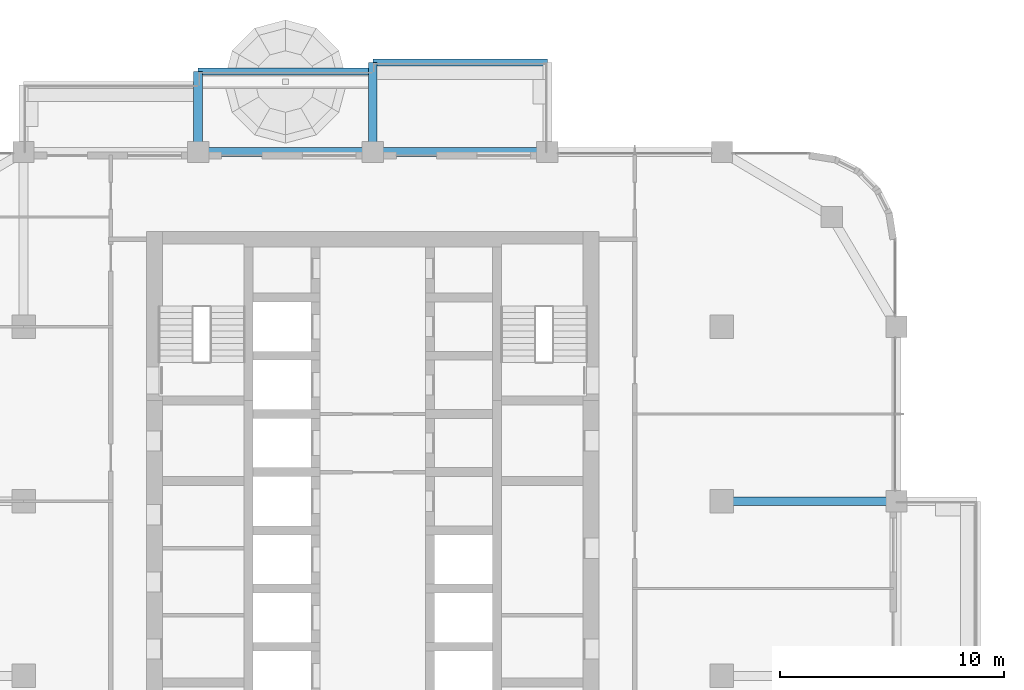
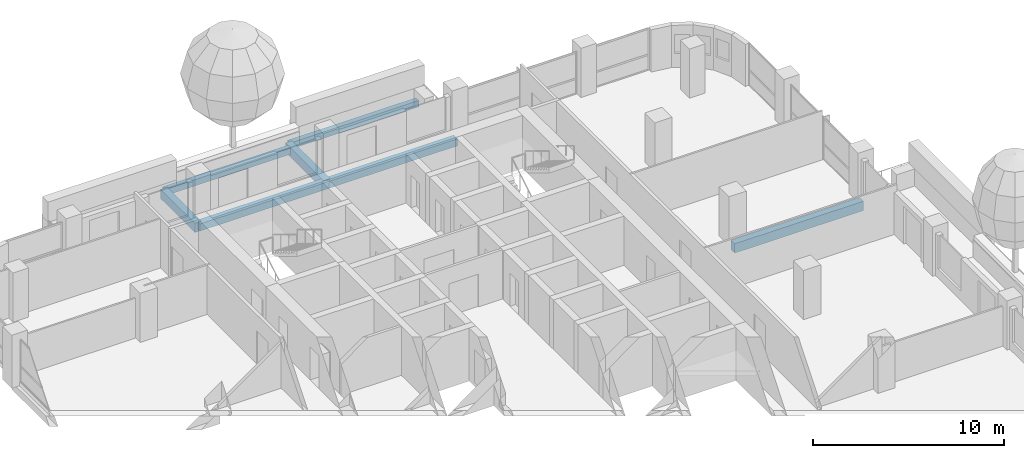
# One storey, part 7 of 21: 7 beams.
"""IFC4 building model written with IfcOpenShell, lengths in metres."""

import ifcopenshell
import ifcopenshell.guid

model = None  # the IFC model being written
_history = None  # IfcOwnerHistory: only IFC2X3 demands one
_inside = {}  # id of a spatial element -> (the spatial element, [elements in it])
_under = {}  # id of a project, library or spatial element -> (it, [spatial elements below it])
_declared = {}  # id of a project -> (the project, [libraries it declares])
_typed = {}  # id of a type object -> (the type object, [elements of that type])
_made_of = {}  # id of a material, layer set ... -> (it, [elements and type objects made of it])


def new_model(schema):
    """Start an empty IFC model of exactly this schema.

    Asked for "IFC4X3", IfcOpenShell would pick the latest addendum, in which some entities
    have other attributes; the version numbers below select the first issue.
    IFC2X3 requires an IfcOwnerHistory on every rooted entity: one is made here for all.
    """
    global model, _history
    if schema == "IFC4X3":
        model = ifcopenshell.file(schema_version=(4, 3, 0, 0))
    else:
        model = ifcopenshell.file(schema=schema)
    _inside.clear()
    _under.clear()
    _declared.clear()
    _typed.clear()
    _made_of.clear()
    _history = None
    if model.schema == "IFC2X3":
        org = make("IfcOrganization", Name="unknown")
        user = make(
            "IfcPersonAndOrganization",
            ThePerson=make("IfcPerson", FamilyName="unknown"),
            TheOrganization=org,
        )
        app = make(
            "IfcApplication",
            ApplicationDeveloper=org,
            Version="unknown",
            ApplicationFullName="unknown",
            ApplicationIdentifier="unknown",
        )
        _history = make(
            "IfcOwnerHistory",
            OwningUser=user,
            OwningApplication=app,
            ChangeAction="ADDED",
            CreationDate=0,
        )
    return model


def make(cls, **values):
    """One entity of the class cls with the attributes given. An attribute that is None is left unset."""
    return model.create_entity(
        cls, **{name: value for name, value in values.items() if value is not None}
    )


def rooted(cls, **values):
    """An entity with a GlobalId (a new one), such as an element, a storey or a relation."""
    return make(cls, GlobalId=ifcopenshell.guid.new(), OwnerHistory=_history, **values)


def si_unit(unit_type, name, prefix=None):
    """IfcSIUnit, for example si_unit("LENGTHUNIT", "METRE", prefix="MILLI")."""
    return make("IfcSIUnit", UnitType=unit_type, Prefix=prefix, Name=name)


def assignment(units):
    """IfcUnitAssignment: the units of a project."""
    return None if units is None else make("IfcUnitAssignment", Units=units)


def point(xyz):
    """IfcCartesianPoint."""
    return None if xyz is None else make("IfcCartesianPoint", Coordinates=xyz)


def direction(xyz):
    """IfcDirection."""
    return None if xyz is None else make("IfcDirection", DirectionRatios=xyz)


def frame(location, z_axis=None, x_axis=None):
    """IfcAxis2Placement3D, a coordinate frame: its origin and axes. An axis left out is left unset."""
    return make(
        "IfcAxis2Placement3D",
        Location=point(location),
        Axis=direction(z_axis),
        RefDirection=direction(x_axis),
    )


def frame_2d(location, x_axis=None):
    """IfcAxis2Placement2D, a coordinate frame in the plane: its origin and x axis."""
    return make(
        "IfcAxis2Placement2D", Location=point(location), RefDirection=direction(x_axis)
    )


def origin():
    """The frame at (0, 0, 0) with its axes left unset."""
    return frame((0.0, 0.0, 0.0))


def origin_2d():
    """The frame at (0, 0) in the plane with its x axis left unset."""
    return frame_2d((0.0, 0.0))


def place(relative_to, where):
    """IfcLocalPlacement: puts the frame where relative to a parent placement (None: the world)."""
    return make(
        "IfcLocalPlacement", PlacementRelTo=relative_to, RelativePlacement=where
    )


def context(
    kind, dimensions, precision=None, world=None, true_north=None, identifier=None
):
    """IfcGeometricRepresentationContext, for example the 3D "Model" context."""
    return make(
        "IfcGeometricRepresentationContext",
        ContextIdentifier=identifier,
        ContextType=kind,
        CoordinateSpaceDimension=dimensions,
        Precision=precision,
        WorldCoordinateSystem=world,
        TrueNorth=true_north,
    )


def subcontext(parent, identifier, kind, view, scale=None):
    """IfcGeometricRepresentationSubContext, for example "Body" below "Model"."""
    return make(
        "IfcGeometricRepresentationSubContext",
        ContextIdentifier=identifier,
        ContextType=kind,
        ParentContext=parent,
        TargetScale=scale,
        TargetView=view,
    )


def project(units=None, contexts=None):
    """IfcProject with its units and contexts."""
    return rooted(
        "IfcProject",
        Name="project",
        RepresentationContexts=contexts,
        UnitsInContext=assignment(units),
    )


def spatial(cls, under=None, at=None, **own):
    """A site, building, storey or space (cls), placed at a placement, below another one or the project."""
    s = rooted(cls, ObjectPlacement=at, **own)
    if under is not None:
        _under.setdefault(under.id(), (under, []))[1].append(s)
    return s


def profile(cls, at=None, kind="AREA", **sizes):
    """A parametric profile (cls). Its sizes go by their IFC names, for example OverallWidth=200.0."""
    return make(cls, ProfileType=kind, Position=at, **sizes)


def rectangle(**sizes):
    """IfcRectangleProfileDef."""
    return profile("IfcRectangleProfileDef", **sizes)


def extrude(swept, where, along, depth):
    """IfcExtrudedAreaSolid: the profile swept, set in the frame where, extruded along a direction by depth."""
    return make(
        "IfcExtrudedAreaSolid",
        SweptArea=swept,
        Position=where,
        ExtrudedDirection=direction(along),
        Depth=depth,
    )


def shape(context_of_items, identifier, shape_type, items):
    """IfcShapeRepresentation: the items that make up one representation, for example the "Body"."""
    return make(
        "IfcShapeRepresentation",
        ContextOfItems=context_of_items,
        RepresentationIdentifier=identifier,
        RepresentationType=shape_type,
        Items=items,
    )


def material(Name=None, Category=None):
    """IfcMaterial."""
    return make("IfcMaterial", Name=Name, Category=Category)


def material_profile(
    of_material, cross_section, Name=None, Category=None, Priority=None
):
    """IfcMaterialProfile: a cross section and its material."""
    return make(
        "IfcMaterialProfile",
        Name=Name,
        Material=of_material,
        Profile=cross_section,
        Priority=Priority,
        Category=Category,
    )


def profile_set(profiles, Name=None, composite=None):
    """IfcMaterialProfileSet."""
    return make(
        "IfcMaterialProfileSet",
        Name=Name,
        MaterialProfiles=profiles,
        CompositeProfile=composite,
    )


def made_of(thing, what):
    """Note that an element or type object is made of a material, layer set ...; save() writes the relation."""
    if what is not None:
        _made_of.setdefault(what.id(), (what, []))[1].append(thing)
    return thing


def type_object(cls, material=None, **own):
    """A type object (cls), such as IfcWallType, which elements share."""
    return made_of(rooted(cls, **own), material)


def element(
    cls,
    number,
    at=None,
    inside=None,
    cuts=None,
    type_object=None,
    material=None,
    context=None,
    identifier="Body",
    shape_type=None,
    held_by="IfcProductDefinitionShape",
    body=None,
    shapes=None,
    **own,
):
    """One element of the class cls, such as IfcWall. Its Tag is "e" and its number.

    at: its placement. inside: the storey or other place that contains it. cuts: it is an
    opening in that element (IfcRelVoidsElement). A single representation is given by context,
    identifier, shape_type and body (its items); several are given by shapes. held_by: the class
    of the entity that holds the representations. save() writes the other relations.
    """
    e = rooted(cls, Tag="e%d" % number, ObjectPlacement=at, **own)
    if body is not None:
        shapes = [shape(context, identifier, shape_type, body)]
    if shapes is not None:
        e.Representation = make(held_by, Representations=shapes)
    if inside is not None:
        _inside.setdefault(inside.id(), (inside, []))[1].append(e)
    if cuts is not None:
        rooted(
            "IfcRelVoidsElement", RelatingBuildingElement=cuts, RelatedOpeningElement=e
        )
    if type_object is not None:
        _typed.setdefault(type_object.id(), (type_object, []))[1].append(e)
    return made_of(e, material)


def aggregate(whole, parts):
    """IfcRelAggregates: a whole, such as a stair, and the parts it consists of."""
    return rooted("IfcRelAggregates", RelatingObject=whole, RelatedObjects=parts)


def save(model, path):
    """Write the relations noted so far, then the file.

    IfcRelAggregates (storeys below a building ...), IfcRelContainedInSpatialStructure (elements
    in a storey), IfcRelDefinesByType, IfcRelAssociatesMaterial and IfcRelDeclares: one each for
    every whole, place, type object, material and project.
    """
    for whole, parts in _under.values():
        aggregate(whole, parts)
    for where, things in _inside.values():
        rooted(
            "IfcRelContainedInSpatialStructure",
            RelatedElements=things,
            RelatingStructure=where,
        )
    for kind, things in _typed.values():
        rooted("IfcRelDefinesByType", RelatedObjects=things, RelatingType=kind)
    for what, things in _made_of.values():
        rooted("IfcRelAssociatesMaterial", RelatedObjects=things, RelatingMaterial=what)
    for by, libraries in _declared.values():
        rooted("IfcRelDeclares", RelatingContext=by, RelatedDefinitions=libraries)
    model.write(path)


model = new_model("IFC4")

# Units and contexts
model_context = context("Model", 3, precision=1e-05, world=origin(), true_north=direction((0.0, 1.0)))
body_context = subcontext(model_context, "Body", "Model", "MODEL_VIEW")
ifc_project = project(units=[si_unit("LENGTHUNIT", "METRE"), si_unit("AREAUNIT", "SQUARE_METRE"), si_unit("VOLUMEUNIT", "CUBIC_METRE"), si_unit("PLANEANGLEUNIT", "RADIAN"), si_unit("MASSUNIT", "GRAM", prefix="KILO")], contexts=[model_context])

# Site, building, storey
site_placement = place(None, origin())
site = spatial("IfcSite", under=ifc_project, at=site_placement, CompositionType="ELEMENT")
building_placement = place(site_placement, origin())
building = spatial("IfcBuilding", under=site, at=building_placement, Name="Ludao Terraces", CompositionType="ELEMENT")
storey_placement = place(building_placement, frame((0.0, 0.0, 71.60009765625)))
storey = spatial("IfcBuildingStorey", under=building, at=storey_placement, Name="L19", CompositionType="ELEMENT", Elevation=71.60009765625)

# Beams
ifc_material = material(Name="Concrete C40", Category="concrete")
ifc_material_profile_1 = material_profile(ifc_material, rectangle(XDim=0.300048828125, YDim=0.39990234375, at=origin_2d()), Name="300 X 400")
ifc_profile_set_1 = profile_set([ifc_material_profile_1], Name="Concrete C40")
beam_type_1 = type_object("IfcBeamType", Name="RC beam 300x400 C40", PredefinedType="BEAM", material=ifc_profile_set_1)
for number, where, z_axis, x_axis, name in (
    (1, (77.199951171875, 92.0, -0.4501953125), (1.0, 0.0, 0.0), (0.0, 1.0, 0.0), "Balcony edge beam L19 N2"),
    (2, (85.0, 92.39990234375, -0.4501953125), (1.0, 0.0, 0.0), (0.0, 1.0, 0.0), "Balcony edge beam L19 N3"),
):
    element("IfcBeam", number, at=place(storey_placement, frame(where, z_axis=z_axis, x_axis=x_axis)), inside=storey, type_object=beam_type_1, Name=name, PredefinedType="BEAM", context=body_context, shape_type="SweptSolid", body=[
        extrude(rectangle(XDim=0.300048828125, YDim=0.39990234375, at=origin_2d()), origin(), (0.0, 0.0, 1.0), 7.800048828125),
    ])
ifc_material_profile_2 = material_profile(ifc_material, rectangle(XDim=0.39990234375, YDim=0.449951171875, at=origin_2d()), Name="400 X 450")
ifc_profile_set_2 = profile_set([ifc_material_profile_2], Name="Concrete C40")
beam_type_2 = type_object("IfcBeamType", Name="RC beam 400x450 C40", PredefinedType="BEAM", material=ifc_profile_set_2)
for number, where, z_axis, x_axis, name in (
    (3, (77.199951171875, 88.39990234375, -0.47509765625), (1.0, 0.0, 0.0), (0.0, 1.0, 0.0), "Spandrel beam L19 N9"),
    (4, (85.0, 88.39990234375, -0.47509765625), (1.0, 0.0, 0.0), (0.0, 1.0, 0.0), "Spandrel beam L19 N10"),
):
    element("IfcBeam", number, at=place(storey_placement, frame(where, z_axis=z_axis, x_axis=x_axis)), inside=storey, type_object=beam_type_2, Name=name, PredefinedType="BEAM", context=body_context, shape_type="SweptSolid", body=[
        extrude(rectangle(XDim=0.39990234375, YDim=0.449951171875, at=origin_2d()), origin(), (0.0, 0.0, 1.0), 7.800048828125),
    ])
ifc_material_profile_3 = material_profile(ifc_material, rectangle(XDim=0.39990234375, YDim=0.60009765625, at=origin_2d()), Name="400 X 600")
ifc_profile_set_3 = profile_set([ifc_material_profile_3], Name="Concrete C40")
beam_type_3 = type_object("IfcBeamType", Name="RC beam 400x600 C40", PredefinedType="BEAM", material=ifc_profile_set_3)
beam_1_placement = place(storey_placement, frame((100.60009765625, 72.800048828125, -0.550048828125), z_axis=(1.0, 0.0, 0.0), x_axis=(0.0, 1.0, 0.0)))
element("IfcBeam", 5, at=beam_1_placement, inside=storey, type_object=beam_type_3, Name="Balcony beam L19 E728", PredefinedType="BEAM", context=body_context, shape_type="SweptSolid", body=[
    extrude(rectangle(XDim=0.39990234375, YDim=0.60009765625, at=origin_2d()), origin(), (0.0, 0.0, 1.0), 7.7998046875),
])
beam_2_placement = place(storey_placement, frame((77.199951171875, 88.39990234375, -0.550048828125), z_axis=(0.0, 1.0, 0.0), x_axis=(-1.0, 0.0, 0.0)))
element("IfcBeam", 6, at=beam_2_placement, inside=storey, type_object=beam_type_3, Name="Balcony beam L19 N772", PredefinedType="BEAM", context=body_context, shape_type="SweptSolid", body=[
    extrude(rectangle(XDim=0.39990234375, YDim=0.60009765625, at=origin_2d()), origin(), (0.0, 0.0, 1.0), 3.60009765625),
])
beam_3_placement = place(storey_placement, frame((85.0, 88.39990234375, -0.550048828125), z_axis=(0.0, 1.0, 0.0), x_axis=(-1.0, 0.0, 0.0)))
element("IfcBeam", 7, at=beam_3_placement, inside=storey, type_object=beam_type_3, Name="Balcony beam L19 N850", PredefinedType="BEAM", context=body_context, shape_type="SweptSolid", body=[
    extrude(rectangle(XDim=0.39990234375, YDim=0.60009765625, at=origin_2d()), origin(), (0.0, 0.0, 1.0), 4.0),
])

save(model, "model.ifc")
